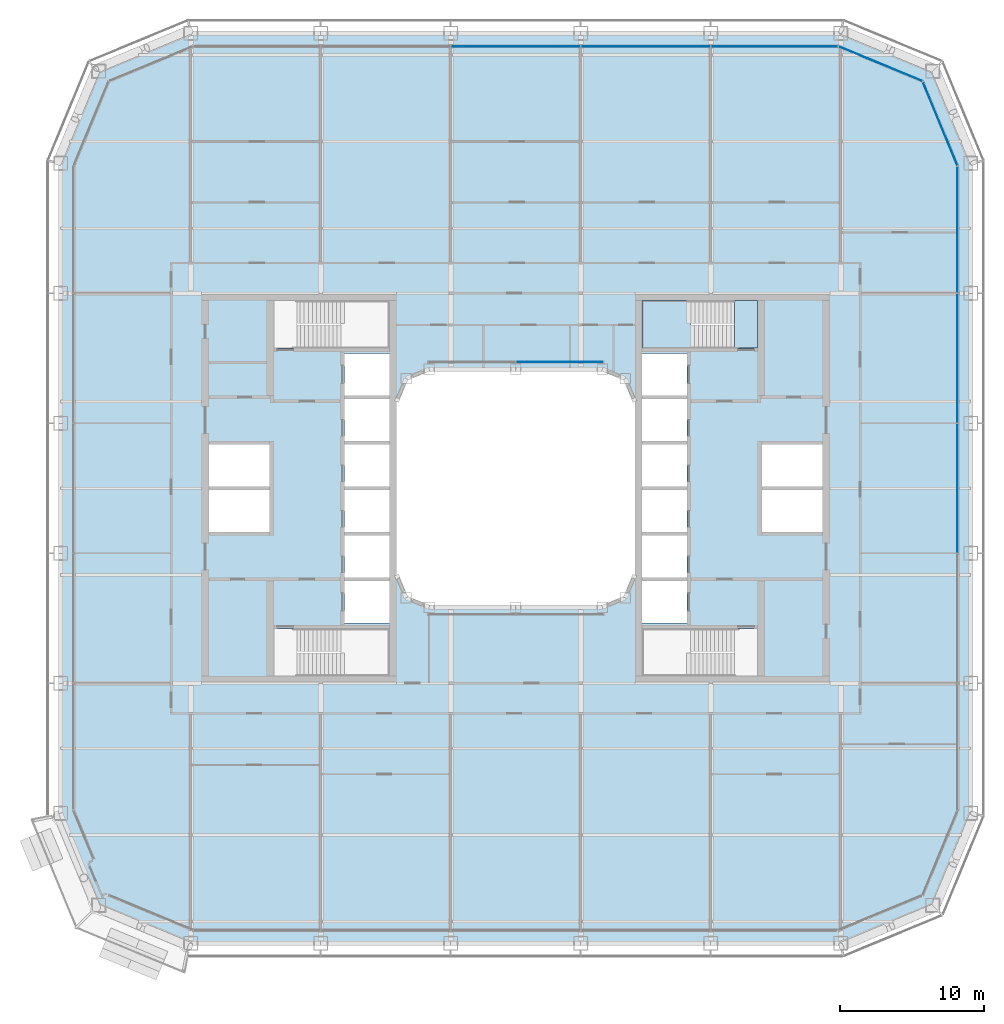
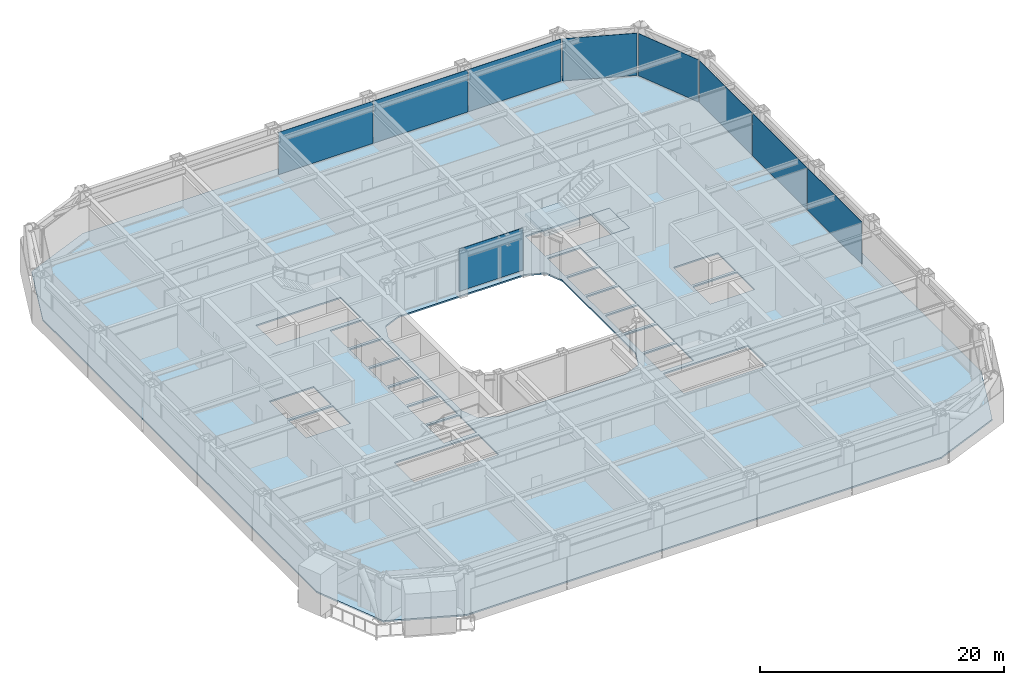
# One storey, part 12 of 27: 9 plates, 3 slabs, 6 elements without a shape of their own.
"""IFC4 building model written with IfcOpenShell, lengths in metres."""

from ifc_helpers import new_model, si_unit, direction, frame, origin, origin_2d, place, context, subcontext, project, spatial, polyline, rectangle, outline, extrude, material, layer, layer_set, type_object, element, aggregate, save


model = new_model("IFC4")

# Units and contexts
model_context = context("Model", 3, precision=1e-05, world=origin(), true_north=direction((0.0, 1.0)))
body_context = subcontext(model_context, "Body", "Model", "MODEL_VIEW")
ifc_project = project(units=[si_unit("LENGTHUNIT", "METRE"), si_unit("AREAUNIT", "SQUARE_METRE"), si_unit("VOLUMEUNIT", "CUBIC_METRE"), si_unit("PLANEANGLEUNIT", "RADIAN"), si_unit("MASSUNIT", "GRAM", prefix="KILO")], contexts=[model_context])

# Site, building, storey
site_placement = place(None, origin())
site = spatial("IfcSite", under=ifc_project, at=site_placement, CompositionType="ELEMENT")
building_placement = place(site_placement, origin())
building = spatial("IfcBuilding", under=site, at=building_placement, Name="Siwar Civic Tower", CompositionType="ELEMENT")
storey_placement = place(building_placement, frame((0.0, 0.0, 53.699951171875)))
storey = spatial("IfcBuildingStorey", under=building, at=storey_placement, Name="L11", CompositionType="ELEMENT", Elevation=53.699951171875)

# Stair, slabs
ifc_material_1 = material(Name="Concrete C40/50", Category="concrete")
stair_type = type_object("IfcStairType", Name="CORE-STAIR", PredefinedType="TWO_STRAIGHT_RUN_STAIR", material=ifc_material_1)
stair_placement = place(storey_placement, origin())
stair = element("IfcStair", 1, at=stair_placement, inside=storey, type_object=stair_type, Name="Exit stair ST3", PredefinedType="TWO_STRAIGHT_RUN_STAIR")
ifc_material_2 = material(Name="Concrete C40/50", Category="concrete")
ifc_layer_1 = layer(ifc_material_2, 0.300048828125)
ifc_layer_set_1 = layer_set([ifc_layer_1], Name="Concrete C40/50")
slab_type_1 = type_object("IfcSlabType", Name="CORE-STAIR-LANDING", PredefinedType="LANDING", material=ifc_layer_set_1)
slab_1_placement = place(storey_placement, frame((0.0, 0.0, -0.300048828125)))
slab_1 = element("IfcSlab", 2, at=slab_1_placement, type_object=slab_type_1, Name="ST3 landing 1", PredefinedType="LANDING", context=body_context, shape_type="SweptSolid", body=[
    extrude(outline(polyline([(15.14990234375, 9.699951171875), (16.75, 9.699951171875), (16.75, 13.0), (15.14990234375, 13.0), (15.14990234375, 9.699951171875)])), origin(), (0.0, 0.0, 1.0), 0.300048828125),
])
slab_2_placement = place(storey_placement, frame((0.0, 0.0, 1.949951171875)))
slab_2 = element("IfcSlab", 3, at=slab_2_placement, type_object=slab_type_1, Name="ST3 landing 2", PredefinedType="LANDING", context=body_context, shape_type="SweptSolid", body=[
    extrude(outline(polyline([(8.75, 9.699951171875), (12.139892578125, 9.699951171875), (12.139892578125, 13.0), (8.75, 13.0), (8.75, 9.699951171875)])), origin(), (0.0, 0.0, 1.0), 0.300048828125),
])
aggregate(stair, [slab_1, slab_2])

# Curtain wall, plates
ifc_material_3 = material(Name="Aluminium and glass", Category="aluminium")
ifc_layer_2 = layer(ifc_material_3, 0.219970703125)
ifc_layer_set_2 = layer_set([ifc_layer_2], Name="Aluminium and glass")
curtain_wall_type_1 = type_object("IfcCurtainWallType", Name="ENV-CW-A", PredefinedType="NOTDEFINED", material=ifc_layer_set_2)
curtain_wall_1_placement = place(storey_placement, origin())
curtain_wall_1 = element("IfcCurtainWall", 4, at=curtain_wall_1_placement, inside=storey, type_object=curtain_wall_type_1, Name="Curtain wall A E", PredefinedType="NOTDEFINED")
ifc_material_4 = material(Name="Glass clear laminated", Category="glass")
ifc_layer_3 = layer(ifc_material_4, 0.035888671875)
ifc_layer_set_3 = layer_set([ifc_layer_3], Name="Glass clear laminated")
plate_type_1 = type_object("IfcPlateType", Name="ENV-PANEL-A", PredefinedType="CURTAIN_PANEL", material=ifc_layer_set_3)
plate_1_placement = place(storey_placement, frame((30.60009765625, 0.0, 0.1201171875), z_axis=(0.0, 0.0, 1.0), x_axis=(0.0, 1.0, 0.0)))
plate_1 = element("IfcPlate", 5, at=plate_1_placement, type_object=plate_type_1, Name="Curtain panel A E 3", PredefinedType="CURTAIN_PANEL", context=body_context, shape_type="SweptSolid", body=[
    extrude(rectangle(XDim=8.929931640625, YDim=0.035888671875, at=origin_2d()), origin(), (0.0, 0.0, 1.0), 4.22998046875),
])
plate_2_placement = place(storey_placement, frame((30.60009765625, 9.0, 0.1201171875), z_axis=(0.0, 0.0, 1.0), x_axis=(0.0, 1.0, 0.0)))
plate_2 = element("IfcPlate", 6, at=plate_2_placement, type_object=plate_type_1, Name="Curtain panel A E 4", PredefinedType="CURTAIN_PANEL", context=body_context, shape_type="SweptSolid", body=[
    extrude(rectangle(XDim=8.929931640625, YDim=0.035888671875, at=origin_2d()), origin(), (0.0, 0.0, 1.0), 4.22998046875),
])
plate_3_placement = place(storey_placement, frame((30.60009765625, 17.86669921875, 0.1201171875), z_axis=(0.0, 0.0, 1.0), x_axis=(0.0, 1.0, 0.0)))
plate_3 = element("IfcPlate", 7, at=plate_3_placement, type_object=plate_type_1, Name="Curtain panel A E 5", PredefinedType="CURTAIN_PANEL", context=body_context, shape_type="SweptSolid", body=[
    extrude(rectangle(XDim=8.663330078125, YDim=0.035888671875, at=origin_2d()), origin(), (0.0, 0.0, 1.0), 4.22998046875),
])
aggregate(curtain_wall_1, [plate_1, plate_2, plate_3])

curtain_wall_2_placement = place(storey_placement, origin())
curtain_wall_2 = element("IfcCurtainWall", 8, at=curtain_wall_2_placement, inside=storey, type_object=curtain_wall_type_1, Name="Curtain wall A N", PredefinedType="NOTDEFINED")
plate_4_placement = place(storey_placement, frame((17.910400390625, 30.60009765625, 0.1201171875), z_axis=(0.0, 0.0, 1.0), x_axis=(-1.0, 0.0, 0.0)))
plate_4 = element("IfcPlate", 9, at=plate_4_placement, type_object=plate_type_1, Name="Curtain panel A N 1", PredefinedType="CURTAIN_PANEL", context=body_context, shape_type="SweptSolid", body=[
    extrude(rectangle(XDim=8.7509765625, YDim=0.035888671875, at=origin_2d()), origin(), (0.0, 0.0, 1.0), 4.22998046875),
])
plate_5_placement = place(storey_placement, frame((9.0, 30.60009765625, 0.1201171875), z_axis=(0.0, 0.0, 1.0), x_axis=(-1.0, 0.0, 0.0)))
plate_5 = element("IfcPlate", 10, at=plate_5_placement, type_object=plate_type_1, Name="Curtain panel A N 2", PredefinedType="CURTAIN_PANEL", context=body_context, shape_type="SweptSolid", body=[
    extrude(rectangle(XDim=8.929931640625, YDim=0.035888671875, at=origin_2d()), origin(), (0.0, 0.0, 1.0), 4.22998046875),
])
plate_6_placement = place(storey_placement, frame((0.0, 30.60009765625, 0.1201171875), z_axis=(0.0, 0.0, 1.0), x_axis=(-1.0, 0.0, 0.0)))
plate_6 = element("IfcPlate", 11, at=plate_6_placement, type_object=plate_type_1, Name="Curtain panel A N 3", PredefinedType="CURTAIN_PANEL", context=body_context, shape_type="SweptSolid", body=[
    extrude(rectangle(XDim=8.929931640625, YDim=0.035888671875, at=origin_2d()), origin(), (0.0, 0.0, 1.0), 4.22998046875),
])
aggregate(curtain_wall_2, [plate_4, plate_5, plate_6])

# Curtain wall, plate
ifc_material_5 = material(Name="Aluminium clad insulated panel", Category="aluminium")
ifc_layer_4 = layer(ifc_material_5, 0.219970703125)
ifc_layer_set_4 = layer_set([ifc_layer_4], Name="Aluminium clad insulated panel")
curtain_wall_type_2 = type_object("IfcCurtainWallType", Name="ENV-CW-AX", PredefinedType="NOTDEFINED", material=ifc_layer_set_4)
curtain_wall_3_placement = place(storey_placement, origin())
curtain_wall_3 = element("IfcCurtainWall", 12, at=curtain_wall_3_placement, inside=storey, type_object=curtain_wall_type_2, Name="Curtain wall A NE1", PredefinedType="NOTDEFINED")
ifc_material_6 = material(Name="Aluminium clad insulated panel", Category="aluminium")
ifc_layer_5 = layer(ifc_material_6, 0.035888671875)
ifc_layer_set_5 = layer_set([ifc_layer_5], Name="Aluminium clad insulated panel")
plate_type_2 = type_object("IfcPlateType", Name="ENV-PANEL-AX", PredefinedType="CURTAIN_PANEL", material=ifc_layer_set_5)
plate_7_placement = place(storey_placement, frame((29.404296875, 25.20751953125, 0.1201171875), z_axis=(0.0, 0.0, 1.0), x_axis=(-0.382683432365, 0.923879532511, 0.0)))
plate_7 = element("IfcPlate", 13, at=plate_7_placement, type_object=plate_type_2, Name="Curtain panel A NE1 1", PredefinedType="CURTAIN_PANEL", context=body_context, shape_type="SweptSolid", body=[
    extrude(rectangle(XDim=6.178955078125, YDim=0.035888671875, at=origin_2d()), origin(), (0.0, 0.0, 1.0), 4.22998046875),
])
aggregate(curtain_wall_3, [plate_7])

curtain_wall_4_placement = place(storey_placement, origin())
curtain_wall_4 = element("IfcCurtainWall", 14, at=curtain_wall_4_placement, inside=storey, type_object=curtain_wall_type_2, Name="Curtain wall A NE2", PredefinedType="NOTDEFINED")
plate_8_placement = place(storey_placement, frame((25.28857421875, 29.370849609375, 0.1201171875), z_axis=(0.0, 0.0, 1.0), x_axis=(-0.923879532511, 0.382683432365, 0.0)))
plate_8 = element("IfcPlate", 15, at=plate_8_placement, type_object=plate_type_2, Name="Curtain panel A NE2 1", PredefinedType="CURTAIN_PANEL", context=body_context, shape_type="SweptSolid", body=[
    extrude(rectangle(XDim=6.178955078125, YDim=0.035888671875, at=origin_2d()), origin(), (0.0, 0.0, 1.0), 4.22998046875),
])
aggregate(curtain_wall_4, [plate_8])

ifc_material_7 = material(Name="Aluminium and glass", Category="aluminium")
ifc_layer_6 = layer(ifc_material_7, 0.179931640625)
ifc_layer_set_6 = layer_set([ifc_layer_6], Name="Aluminium and glass")
curtain_wall_type_3 = type_object("IfcCurtainWallType", Name="ENV-CW-W", PredefinedType="NOTDEFINED", material=ifc_layer_set_6)
curtain_wall_5_placement = place(storey_placement, origin())
curtain_wall_5 = element("IfcCurtainWall", 16, at=curtain_wall_5_placement, inside=storey, type_object=curtain_wall_type_3, Name="Curtain wall W WN", PredefinedType="NOTDEFINED")
ifc_material_8 = material(Name="Glass clear laminated", Category="glass")
ifc_layer_7 = layer(ifc_material_8, 0.031982421875)
ifc_layer_set_7 = layer_set([ifc_layer_7], Name="Glass clear laminated")
plate_type_3 = type_object("IfcPlateType", Name="ENV-PANEL-W", PredefinedType="CURTAIN_PANEL", material=ifc_layer_set_7)
plate_9_placement = place(storey_placement, frame((3.04833984375, 8.735107421875, 0.10009765625), z_axis=(0.0, 0.0, 1.0), x_axis=(-1.0, 0.0, 0.0)))
plate_9 = element("IfcPlate", 17, at=plate_9_placement, type_object=plate_type_3, Name="Curtain panel W WN 1", PredefinedType="CURTAIN_PANEL", context=body_context, shape_type="SweptSolid", body=[
    extrude(rectangle(XDim=6.036376953125, YDim=0.031982421875, at=origin_2d()), origin(), (0.0, 0.0, 1.0), 4.25),
])
aggregate(curtain_wall_5, [plate_9])

# Slab
ifc_material_9 = material(Name="Concrete C40/50", Category="concrete")
ifc_layer_8 = layer(ifc_material_9, 0.14990234375)
ifc_layer_set_8 = layer_set([ifc_layer_8], Name="Concrete C40/50")
slab_type_2 = type_object("IfcSlabType", Name="STR-FLOOR-DECK-150", PredefinedType="FLOOR", material=ifc_layer_set_8)
slab_3_placement = place(storey_placement, frame((0.0, 0.0, -0.14990234375)))
element("IfcSlab", 18, at=slab_3_placement, inside=storey, type_object=slab_type_2, Name="L11/slab/1", PredefinedType="FLOOR", context=body_context, shape_type="SweptSolid", body=[
    extrude(outline(polyline([(-22.5, -31.5), (22.5, -31.5), (28.864013671875, -28.864013671875), (31.5, -22.5), (31.5, 22.5), (28.864013671875, 28.864013671875), (22.5, 31.5), (-22.5, 31.5), (-28.864013671875, 28.864013671875), (-31.5, 22.5), (-31.5, -22.5), (-28.864013671875, -28.864013671875), (-22.5, -31.5)]), holes=[polyline([(21.25, 3.02490234375), (21.25, 0.125), (17.050048828125, 0.125), (17.050048828125, 3.02490234375), (21.25, 3.02490234375)]), polyline([(17.050048828125, -0.125), (21.25, -0.125), (21.25, -3.02490234375), (17.050048828125, -3.02490234375), (17.050048828125, -0.125)]), polyline([(16.75, 13.0), (16.75, 9.699951171875), (8.75, 9.699951171875), (8.75, 13.0), (16.75, 13.0)]), polyline([(8.75, -9.699951171875), (16.75, -9.699951171875), (16.75, -13.0), (8.75, -13.0), (8.75, -9.699951171875)]), polyline([(11.85009765625, 9.324951171875), (11.85009765625, 6.425048828125), (8.75, 6.425048828125), (8.75, 9.324951171875), (11.85009765625, 9.324951171875)]), polyline([(11.85009765625, 3.02490234375), (11.85009765625, 0.125), (8.75, 0.125), (8.75, 3.02490234375), (11.85009765625, 3.02490234375)]), polyline([(11.85009765625, -0.125), (11.85009765625, -3.02490234375), (8.75, -3.02490234375), (8.75, -0.125), (11.85009765625, -0.125)]), polyline([(11.85009765625, -3.27490234375), (11.85009765625, -6.175048828125), (8.75, -6.175048828125), (8.75, -3.27490234375), (11.85009765625, -3.27490234375)]), polyline([(8.75, 6.175048828125), (11.85009765625, 6.175048828125), (11.85009765625, 3.27490234375), (8.75, 3.27490234375), (8.75, 6.175048828125)]), polyline([(8.75, -6.425048828125), (11.85009765625, -6.425048828125), (11.85009765625, -9.324951171875), (8.75, -9.324951171875), (8.75, -6.425048828125)]), polyline([(-6.0, 8.25), (6.0, 8.25), (7.591064453125, 7.591064453125), (8.25, 6.0), (8.25, -6.0), (7.591064453125, -7.591064453125), (6.0, -8.25), (-6.0, -8.25), (-7.591064453125, -7.591064453125), (-8.25, -6.0), (-8.25, 6.0), (-7.591064453125, 7.591064453125), (-6.0, 8.25)]), polyline([(-8.75, 9.699951171875), (-16.75, 9.699951171875), (-16.75, 13.0), (-8.75, 13.0), (-8.75, 9.699951171875)]), polyline([(-8.75, 0.125), (-11.85009765625, 0.125), (-11.85009765625, 3.02490234375), (-8.75, 3.02490234375), (-8.75, 0.125)]), polyline([(-8.75, -6.175048828125), (-11.85009765625, -6.175048828125), (-11.85009765625, -3.27490234375), (-8.75, -3.27490234375), (-8.75, -6.175048828125)]), polyline([(-8.75, -9.324951171875), (-11.85009765625, -9.324951171875), (-11.85009765625, -6.425048828125), (-8.75, -6.425048828125), (-8.75, -9.324951171875)]), polyline([(-8.75, -13.0), (-16.75, -13.0), (-16.75, -9.699951171875), (-8.75, -9.699951171875), (-8.75, -13.0)]), polyline([(-11.85009765625, 6.425048828125), (-11.85009765625, 9.324951171875), (-8.75, 9.324951171875), (-8.75, 6.425048828125), (-11.85009765625, 6.425048828125)]), polyline([(-11.85009765625, 3.27490234375), (-11.85009765625, 6.175048828125), (-8.75, 6.175048828125), (-8.75, 3.27490234375), (-11.85009765625, 3.27490234375)]), polyline([(-11.85009765625, -3.02490234375), (-11.85009765625, -0.125), (-8.75, -0.125), (-8.75, -3.02490234375), (-11.85009765625, -3.02490234375)]), polyline([(-21.25, -3.02490234375), (-21.25, -0.125), (-17.050048828125, -0.125), (-17.050048828125, -3.02490234375), (-21.25, -3.02490234375)]), polyline([(-17.050048828125, 0.125), (-21.25, 0.125), (-21.25, 3.02490234375), (-17.050048828125, 3.02490234375), (-17.050048828125, 0.125)])]), origin(), (0.0, 0.0, 1.0), 0.14990234375),
])

save(model, "model.ifc")
